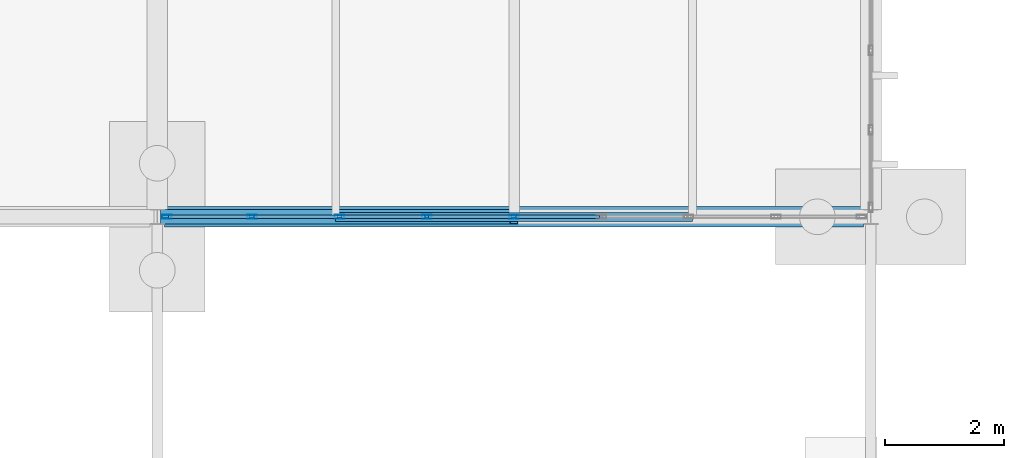
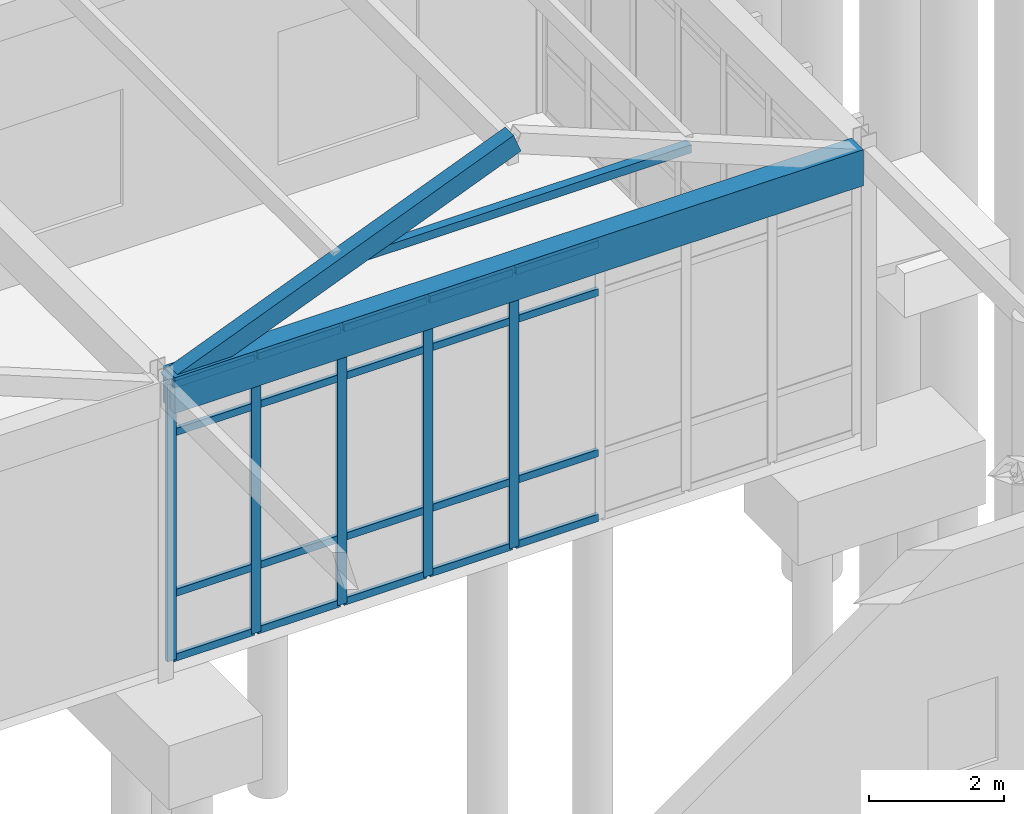
# One storey, part 45 of 188: 27 members, 1 beam, 1 element without a shape of its own.
"""IFC4 building model written with IfcOpenShell, lengths in metres."""

from ifc_helpers import new_model, si_unit, direction, frame, origin, origin_2d, place, context, subcontext, project, spatial, rectangle, hollow_rectangle, extrude, material, layer, layer_set, material_profile, profile_set, type_object, element, aggregate, save


model = new_model("IFC4")

# Units and contexts
model_context = context("Model", 3, precision=1e-05, world=origin(), true_north=direction((0.0, 1.0)))
body_context = subcontext(model_context, "Body", "Model", "MODEL_VIEW")
ifc_project = project(units=[si_unit("LENGTHUNIT", "METRE"), si_unit("AREAUNIT", "SQUARE_METRE"), si_unit("VOLUMEUNIT", "CUBIC_METRE"), si_unit("PLANEANGLEUNIT", "RADIAN"), si_unit("MASSUNIT", "GRAM", prefix="KILO")], contexts=[model_context])

# Site, building, storey
site_placement = place(None, origin())
site = spatial("IfcSite", under=ifc_project, at=site_placement, CompositionType="ELEMENT")
building_placement = place(site_placement, origin())
building = spatial("IfcBuilding", under=site, at=building_placement, Name="Pandanus Reach Market Hall", CompositionType="ELEMENT")
storey_placement = place(building_placement, origin())
storey = spatial("IfcBuildingStorey", under=building, at=storey_placement, Name="L00", CompositionType="ELEMENT", Elevation=0.0)

# Beam
ifc_material_1 = material(Name="Concrete N40 (40 MPa)", Category="concrete")
ifc_material_profile_1 = material_profile(ifc_material_1, rectangle(XDim=0.35009765625, YDim=0.64990234375, at=origin_2d()), Name="RC350x650", Category="LoadBearing")
ifc_profile_set_1 = profile_set([ifc_material_profile_1], Name="Concrete N40 (40 MPa)")
beam_type = type_object("IfcBeamType", Name="BM-RC350-E", PredefinedType="SPANDREL", material=ifc_profile_set_1)
beam_placement = place(storey_placement, frame((24.125, 57.60009765625, 4.8798828125), z_axis=(1.0, 0.0, 0.0), x_axis=(0.0, 1.0, 0.0)))
element("IfcBeam", 1, at=beam_placement, inside=storey, type_object=beam_type, Name="Framing beam BM-RC350-E L00.1170", PredefinedType="SPANDREL", context=body_context, shape_type="SweptSolid", body=[
    extrude(rectangle(XDim=0.35009765625, YDim=0.64990234375, at=origin_2d()), origin(), (0.0, 0.0, 1.0), 11.75),
])

# Member
ifc_material_2 = material(Name="Steel Grade 350 (350 MPa)", Category="steel")
ifc_material_profile_2 = material_profile(ifc_material_2, hollow_rectangle(XDim=0.14990234375, YDim=0.14990234375, WallThickness=0.009033203125, at=origin_2d()), Name="150x150x9.0SHS", Category="LoadBearing")
ifc_profile_set_2 = profile_set([ifc_material_profile_2], Name="Steel Grade 350 (350 MPa)")
member_type_1 = type_object("IfcMemberType", Name="CL-SHS150-I", PredefinedType="COLLAR", material=ifc_profile_set_2)
member_1_placement = place(storey_placement, frame((27.0, 57.60009765625, 6.166748046875), z_axis=(1.0, 0.0, 0.0), x_axis=(0.0, 1.0, 0.0)))
element("IfcMember", 2, at=member_1_placement, inside=storey, type_object=member_type_1, Name="Gable collar tie R2.B3", PredefinedType="COLLAR", context=body_context, shape_type="SweptSolid", body=[
    extrude(hollow_rectangle(XDim=0.14990234375, YDim=0.14990234375, WallThickness=0.009033203125, at=origin_2d()), origin(), (0.0, 0.0, 1.0), 6.0),
])

# Curtain wall, members
ifc_material_3 = material(Name="Bronze anodised aluminium and low-E glass", Category="aluminium")
ifc_layer = layer(ifc_material_3, 0.159912109375, Name="CW-07")
ifc_layer_set = layer_set([ifc_layer], Name="Bronze anodised aluminium and low-E glass")
curtain_wall_type = type_object("IfcCurtainWallType", Name="CW-07", PredefinedType="NOTDEFINED", material=ifc_layer_set)
curtain_wall_placement = place(storey_placement, origin())
curtain_wall = element("IfcCurtainWall", 3, at=curtain_wall_placement, inside=storey, type_object=curtain_wall_type, Name="Glazed curtain wall CW-07 CW-0042", PredefinedType="NOTDEFINED")
ifc_material_4 = material(Name="Bronze anodised aluminium", Category="aluminium")
ifc_material_profile_3 = material_profile(ifc_material_4, hollow_rectangle(XDim=0.06494140625, YDim=0.159912109375, WallThickness=0.00390625, at=origin_2d()), Name="ALU65x160", Category="LoadBearing")
ifc_profile_set_3 = profile_set([ifc_material_profile_3], Name="Bronze anodised aluminium")
member_type_2 = type_object("IfcMemberType", Name="CW-M1", PredefinedType="MULLION", material=ifc_profile_set_3)
member_2_placement = place(storey_placement, frame((24.159423828125, 57.60009765625, 0.0), z_axis=(0.0, 0.0, 1.0), x_axis=(0.0, 1.0, 0.0)))
member_2 = element("IfcMember", 4, at=member_2_placement, type_object=member_type_2, Name="CW-07 mullion 1", PredefinedType="MULLION", context=body_context, shape_type="SweptSolid", body=[
    extrude(hollow_rectangle(XDim=0.06494140625, YDim=0.159912109375, WallThickness=0.00390625, at=origin_2d()), origin(), (0.0, 0.0, 1.0), 5.0),
])
member_3_placement = place(storey_placement, frame((25.59521484375, 57.60009765625, 0.0), z_axis=(0.0, 0.0, 1.0), x_axis=(0.0, 1.0, 0.0)))
member_3 = element("IfcMember", 5, at=member_3_placement, type_object=member_type_2, Name="CW-07 mullion 2", PredefinedType="MULLION", context=body_context, shape_type="SweptSolid", body=[
    extrude(hollow_rectangle(XDim=0.06494140625, YDim=0.159912109375, WallThickness=0.00390625, at=origin_2d()), origin(), (0.0, 0.0, 1.0), 5.0),
])
member_4_placement = place(storey_placement, frame((27.0634765625, 57.60009765625, 0.0), z_axis=(0.0, 0.0, 1.0), x_axis=(0.0, 1.0, 0.0)))
member_4 = element("IfcMember", 6, at=member_4_placement, type_object=member_type_2, Name="CW-07 mullion 3", PredefinedType="MULLION", context=body_context, shape_type="SweptSolid", body=[
    extrude(hollow_rectangle(XDim=0.06494140625, YDim=0.159912109375, WallThickness=0.00390625, at=origin_2d()), origin(), (0.0, 0.0, 1.0), 5.0),
])
member_5_placement = place(storey_placement, frame((28.53173828125, 57.60009765625, 0.0), z_axis=(0.0, 0.0, 1.0), x_axis=(0.0, 1.0, 0.0)))
member_5 = element("IfcMember", 7, at=member_5_placement, type_object=member_type_2, Name="CW-07 mullion 4", PredefinedType="MULLION", context=body_context, shape_type="SweptSolid", body=[
    extrude(hollow_rectangle(XDim=0.06494140625, YDim=0.159912109375, WallThickness=0.00390625, at=origin_2d()), origin(), (0.0, 0.0, 1.0), 5.0),
])
member_6_placement = place(storey_placement, frame((30.0, 57.60009765625, 0.0), z_axis=(0.0, 0.0, 1.0), x_axis=(0.0, 1.0, 0.0)))
member_6 = element("IfcMember", 8, at=member_6_placement, type_object=member_type_2, Name="CW-07 mullion 5", PredefinedType="MULLION", context=body_context, shape_type="SweptSolid", body=[
    extrude(hollow_rectangle(XDim=0.06494140625, YDim=0.159912109375, WallThickness=0.00390625, at=origin_2d()), origin(), (0.0, 0.0, 1.0), 5.0),
])
ifc_material_profile_4 = material_profile(ifc_material_4, hollow_rectangle(XDim=0.06494140625, YDim=0.1298828125, WallThickness=0.00390625, at=origin_2d()), Name="ALU65x130", Category="LoadBearing")
ifc_profile_set_4 = profile_set([ifc_material_profile_4], Name="Bronze anodised aluminium")
member_type_3 = type_object("IfcMemberType", Name="CW-T1", PredefinedType="USERDEFINED", material=ifc_profile_set_4)
member_7_placement = place(storey_placement, frame((24.19189453125, 57.60009765625, 0.032470703125), z_axis=(1.0, 0.0, 0.0), x_axis=(0.0, 1.0, 0.0)))
member_7 = element("IfcMember", 9, at=member_7_placement, type_object=member_type_3, Name="CW-07 transom 1.1", ObjectType="TRANSOM", PredefinedType="USERDEFINED", context=body_context, shape_type="SweptSolid", body=[
    extrude(hollow_rectangle(XDim=0.06494140625, YDim=0.1298828125, WallThickness=0.00390625, at=origin_2d()), origin(), (0.0, 0.0, 1.0), 1.370849609375),
])
member_8_placement = place(storey_placement, frame((24.19189453125, 57.60009765625, 1.199951171875), z_axis=(1.0, 0.0, 0.0), x_axis=(0.0, 1.0, 0.0)))
member_8 = element("IfcMember", 10, at=member_8_placement, type_object=member_type_3, Name="CW-07 transom 1.2", ObjectType="TRANSOM", PredefinedType="USERDEFINED", context=body_context, shape_type="SweptSolid", body=[
    extrude(hollow_rectangle(XDim=0.06494140625, YDim=0.1298828125, WallThickness=0.00390625, at=origin_2d()), origin(), (0.0, 0.0, 1.0), 1.370849609375),
])
member_9_placement = place(storey_placement, frame((24.19189453125, 57.60009765625, 4.10009765625), z_axis=(1.0, 0.0, 0.0), x_axis=(0.0, 1.0, 0.0)))
member_9 = element("IfcMember", 11, at=member_9_placement, type_object=member_type_3, Name="CW-07 transom 1.3", ObjectType="TRANSOM", PredefinedType="USERDEFINED", context=body_context, shape_type="SweptSolid", body=[
    extrude(hollow_rectangle(XDim=0.06494140625, YDim=0.1298828125, WallThickness=0.00390625, at=origin_2d()), origin(), (0.0, 0.0, 1.0), 1.370849609375),
])
member_10_placement = place(storey_placement, frame((24.19189453125, 57.60009765625, 4.967529296875), z_axis=(1.0, 0.0, 0.0), x_axis=(0.0, 1.0, 0.0)))
member_10 = element("IfcMember", 12, at=member_10_placement, type_object=member_type_3, Name="CW-07 transom 1.4", ObjectType="TRANSOM", PredefinedType="USERDEFINED", context=body_context, shape_type="SweptSolid", body=[
    extrude(hollow_rectangle(XDim=0.06494140625, YDim=0.1298828125, WallThickness=0.00390625, at=origin_2d()), origin(), (0.0, 0.0, 1.0), 1.370849609375),
])
member_11_placement = place(storey_placement, frame((25.627685546875, 57.60009765625, 0.032470703125), z_axis=(1.0, 0.0, 0.0), x_axis=(0.0, 1.0, 0.0)))
member_11 = element("IfcMember", 13, at=member_11_placement, type_object=member_type_3, Name="CW-07 transom 2.1", ObjectType="TRANSOM", PredefinedType="USERDEFINED", context=body_context, shape_type="SweptSolid", body=[
    extrude(hollow_rectangle(XDim=0.06494140625, YDim=0.1298828125, WallThickness=0.00390625, at=origin_2d()), origin(), (0.0, 0.0, 1.0), 1.4033203125),
])
member_12_placement = place(storey_placement, frame((25.627685546875, 57.60009765625, 1.199951171875), z_axis=(1.0, 0.0, 0.0), x_axis=(0.0, 1.0, 0.0)))
member_12 = element("IfcMember", 14, at=member_12_placement, type_object=member_type_3, Name="CW-07 transom 2.2", ObjectType="TRANSOM", PredefinedType="USERDEFINED", context=body_context, shape_type="SweptSolid", body=[
    extrude(hollow_rectangle(XDim=0.06494140625, YDim=0.1298828125, WallThickness=0.00390625, at=origin_2d()), origin(), (0.0, 0.0, 1.0), 1.4033203125),
])
member_13_placement = place(storey_placement, frame((25.627685546875, 57.60009765625, 4.10009765625), z_axis=(1.0, 0.0, 0.0), x_axis=(0.0, 1.0, 0.0)))
member_13 = element("IfcMember", 15, at=member_13_placement, type_object=member_type_3, Name="CW-07 transom 2.3", ObjectType="TRANSOM", PredefinedType="USERDEFINED", context=body_context, shape_type="SweptSolid", body=[
    extrude(hollow_rectangle(XDim=0.06494140625, YDim=0.1298828125, WallThickness=0.00390625, at=origin_2d()), origin(), (0.0, 0.0, 1.0), 1.4033203125),
])
member_14_placement = place(storey_placement, frame((25.627685546875, 57.60009765625, 4.967529296875), z_axis=(1.0, 0.0, 0.0), x_axis=(0.0, 1.0, 0.0)))
member_14 = element("IfcMember", 16, at=member_14_placement, type_object=member_type_3, Name="CW-07 transom 2.4", ObjectType="TRANSOM", PredefinedType="USERDEFINED", context=body_context, shape_type="SweptSolid", body=[
    extrude(hollow_rectangle(XDim=0.06494140625, YDim=0.1298828125, WallThickness=0.00390625, at=origin_2d()), origin(), (0.0, 0.0, 1.0), 1.4033203125),
])
member_15_placement = place(storey_placement, frame((27.095947265625, 57.60009765625, 0.032470703125), z_axis=(1.0, 0.0, 0.0), x_axis=(0.0, 1.0, 0.0)))
member_15 = element("IfcMember", 17, at=member_15_placement, type_object=member_type_3, Name="CW-07 transom 3.1", ObjectType="TRANSOM", PredefinedType="USERDEFINED", context=body_context, shape_type="SweptSolid", body=[
    extrude(hollow_rectangle(XDim=0.06494140625, YDim=0.1298828125, WallThickness=0.00390625, at=origin_2d()), origin(), (0.0, 0.0, 1.0), 1.4033203125),
])
member_16_placement = place(storey_placement, frame((27.095947265625, 57.60009765625, 1.199951171875), z_axis=(1.0, 0.0, 0.0), x_axis=(0.0, 1.0, 0.0)))
member_16 = element("IfcMember", 18, at=member_16_placement, type_object=member_type_3, Name="CW-07 transom 3.2", ObjectType="TRANSOM", PredefinedType="USERDEFINED", context=body_context, shape_type="SweptSolid", body=[
    extrude(hollow_rectangle(XDim=0.06494140625, YDim=0.1298828125, WallThickness=0.00390625, at=origin_2d()), origin(), (0.0, 0.0, 1.0), 1.4033203125),
])
member_17_placement = place(storey_placement, frame((27.095947265625, 57.60009765625, 4.10009765625), z_axis=(1.0, 0.0, 0.0), x_axis=(0.0, 1.0, 0.0)))
member_17 = element("IfcMember", 19, at=member_17_placement, type_object=member_type_3, Name="CW-07 transom 3.3", ObjectType="TRANSOM", PredefinedType="USERDEFINED", context=body_context, shape_type="SweptSolid", body=[
    extrude(hollow_rectangle(XDim=0.06494140625, YDim=0.1298828125, WallThickness=0.00390625, at=origin_2d()), origin(), (0.0, 0.0, 1.0), 1.4033203125),
])
member_18_placement = place(storey_placement, frame((27.095947265625, 57.60009765625, 4.967529296875), z_axis=(1.0, 0.0, 0.0), x_axis=(0.0, 1.0, 0.0)))
member_18 = element("IfcMember", 20, at=member_18_placement, type_object=member_type_3, Name="CW-07 transom 3.4", ObjectType="TRANSOM", PredefinedType="USERDEFINED", context=body_context, shape_type="SweptSolid", body=[
    extrude(hollow_rectangle(XDim=0.06494140625, YDim=0.1298828125, WallThickness=0.00390625, at=origin_2d()), origin(), (0.0, 0.0, 1.0), 1.4033203125),
])
member_19_placement = place(storey_placement, frame((28.564208984375, 57.60009765625, 0.032470703125), z_axis=(1.0, 0.0, 0.0), x_axis=(0.0, 1.0, 0.0)))
member_19 = element("IfcMember", 21, at=member_19_placement, type_object=member_type_3, Name="CW-07 transom 4.1", ObjectType="TRANSOM", PredefinedType="USERDEFINED", context=body_context, shape_type="SweptSolid", body=[
    extrude(hollow_rectangle(XDim=0.06494140625, YDim=0.1298828125, WallThickness=0.00390625, at=origin_2d()), origin(), (0.0, 0.0, 1.0), 1.4033203125),
])
member_20_placement = place(storey_placement, frame((28.564208984375, 57.60009765625, 1.199951171875), z_axis=(1.0, 0.0, 0.0), x_axis=(0.0, 1.0, 0.0)))
member_20 = element("IfcMember", 22, at=member_20_placement, type_object=member_type_3, Name="CW-07 transom 4.2", ObjectType="TRANSOM", PredefinedType="USERDEFINED", context=body_context, shape_type="SweptSolid", body=[
    extrude(hollow_rectangle(XDim=0.06494140625, YDim=0.1298828125, WallThickness=0.00390625, at=origin_2d()), origin(), (0.0, 0.0, 1.0), 1.4033203125),
])
member_21_placement = place(storey_placement, frame((28.564208984375, 57.60009765625, 4.10009765625), z_axis=(1.0, 0.0, 0.0), x_axis=(0.0, 1.0, 0.0)))
member_21 = element("IfcMember", 23, at=member_21_placement, type_object=member_type_3, Name="CW-07 transom 4.3", ObjectType="TRANSOM", PredefinedType="USERDEFINED", context=body_context, shape_type="SweptSolid", body=[
    extrude(hollow_rectangle(XDim=0.06494140625, YDim=0.1298828125, WallThickness=0.00390625, at=origin_2d()), origin(), (0.0, 0.0, 1.0), 1.4033203125),
])
member_22_placement = place(storey_placement, frame((28.564208984375, 57.60009765625, 4.967529296875), z_axis=(1.0, 0.0, 0.0), x_axis=(0.0, 1.0, 0.0)))
member_22 = element("IfcMember", 24, at=member_22_placement, type_object=member_type_3, Name="CW-07 transom 4.4", ObjectType="TRANSOM", PredefinedType="USERDEFINED", context=body_context, shape_type="SweptSolid", body=[
    extrude(hollow_rectangle(XDim=0.06494140625, YDim=0.1298828125, WallThickness=0.00390625, at=origin_2d()), origin(), (0.0, 0.0, 1.0), 1.4033203125),
])
member_23_placement = place(storey_placement, frame((30.032470703125, 57.60009765625, 0.032470703125), z_axis=(1.0, 0.0, 0.0), x_axis=(0.0, 1.0, 0.0)))
member_23 = element("IfcMember", 25, at=member_23_placement, type_object=member_type_3, Name="CW-07 transom 5.1", ObjectType="TRANSOM", PredefinedType="USERDEFINED", context=body_context, shape_type="SweptSolid", body=[
    extrude(hollow_rectangle(XDim=0.06494140625, YDim=0.1298828125, WallThickness=0.00390625, at=origin_2d()), origin(), (0.0, 0.0, 1.0), 1.4033203125),
])
member_24_placement = place(storey_placement, frame((30.032470703125, 57.60009765625, 1.199951171875), z_axis=(1.0, 0.0, 0.0), x_axis=(0.0, 1.0, 0.0)))
member_24 = element("IfcMember", 26, at=member_24_placement, type_object=member_type_3, Name="CW-07 transom 5.2", ObjectType="TRANSOM", PredefinedType="USERDEFINED", context=body_context, shape_type="SweptSolid", body=[
    extrude(hollow_rectangle(XDim=0.06494140625, YDim=0.1298828125, WallThickness=0.00390625, at=origin_2d()), origin(), (0.0, 0.0, 1.0), 1.4033203125),
])
member_25_placement = place(storey_placement, frame((30.032470703125, 57.60009765625, 4.10009765625), z_axis=(1.0, 0.0, 0.0), x_axis=(0.0, 1.0, 0.0)))
member_25 = element("IfcMember", 27, at=member_25_placement, type_object=member_type_3, Name="CW-07 transom 5.3", ObjectType="TRANSOM", PredefinedType="USERDEFINED", context=body_context, shape_type="SweptSolid", body=[
    extrude(hollow_rectangle(XDim=0.06494140625, YDim=0.1298828125, WallThickness=0.00390625, at=origin_2d()), origin(), (0.0, 0.0, 1.0), 1.4033203125),
])
member_26_placement = place(storey_placement, frame((30.032470703125, 57.60009765625, 4.967529296875), z_axis=(1.0, 0.0, 0.0), x_axis=(0.0, 1.0, 0.0)))
member_26 = element("IfcMember", 28, at=member_26_placement, type_object=member_type_3, Name="CW-07 transom 5.4", ObjectType="TRANSOM", PredefinedType="USERDEFINED", context=body_context, shape_type="SweptSolid", body=[
    extrude(hollow_rectangle(XDim=0.06494140625, YDim=0.1298828125, WallThickness=0.00390625, at=origin_2d()), origin(), (0.0, 0.0, 1.0), 1.4033203125),
])
aggregate(curtain_wall, [member_2, member_3, member_4, member_5, member_6, member_7, member_8, member_9, member_10, member_11, member_12, member_13, member_14, member_15, member_16, member_17, member_18, member_19, member_20, member_21, member_22, member_23, member_24, member_25, member_26])

# Member
ifc_material_profile_5 = material_profile(ifc_material_2, hollow_rectangle(XDim=0.25, YDim=0.35009765625, WallThickness=0.012451171875, at=origin_2d()), Name="350x250x12.5RHS", Category="LoadBearing")
ifc_profile_set_5 = profile_set([ifc_material_profile_5], Name="Steel Grade 350 (350 MPa)")
member_type_4 = type_object("IfcMemberType", Name="RF-RHS350-E", PredefinedType="RAFTER", material=ifc_profile_set_5)
member_27_placement = place(storey_placement, frame((24.1201171875, 57.60009765625, 4.985107421875), z_axis=(0.927845665363, 0.0, 0.372964369971), x_axis=(0.0, 1.0, 0.0)))
element("IfcMember", 29, at=member_27_placement, inside=storey, type_object=member_type_4, Name="Steep gable rafter R2.B3W", PredefinedType="RAFTER", context=body_context, shape_type="SweptSolid", body=[
    extrude(hollow_rectangle(XDim=0.25, YDim=0.35009765625, WallThickness=0.012451171875, at=origin_2d()), origin(), (0.0, 0.0, 1.0), 6.337158203125),
])

save(model, "model.ifc")
